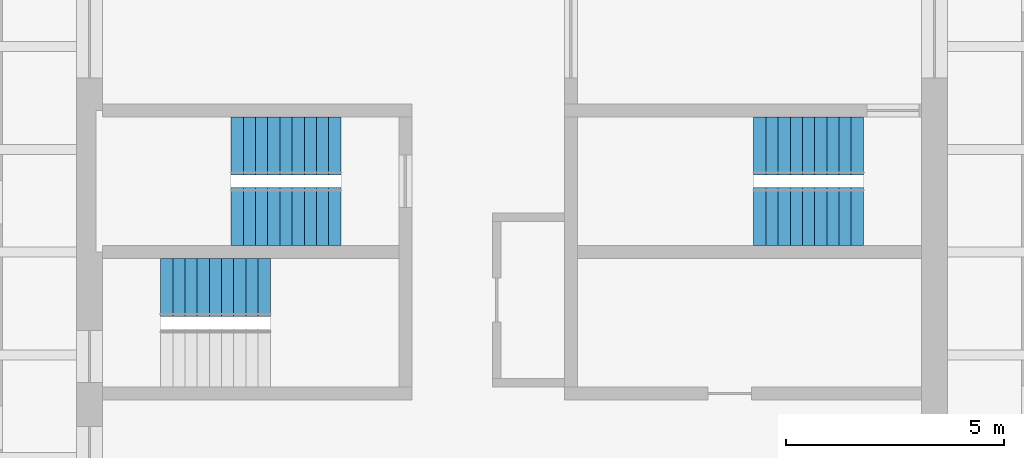
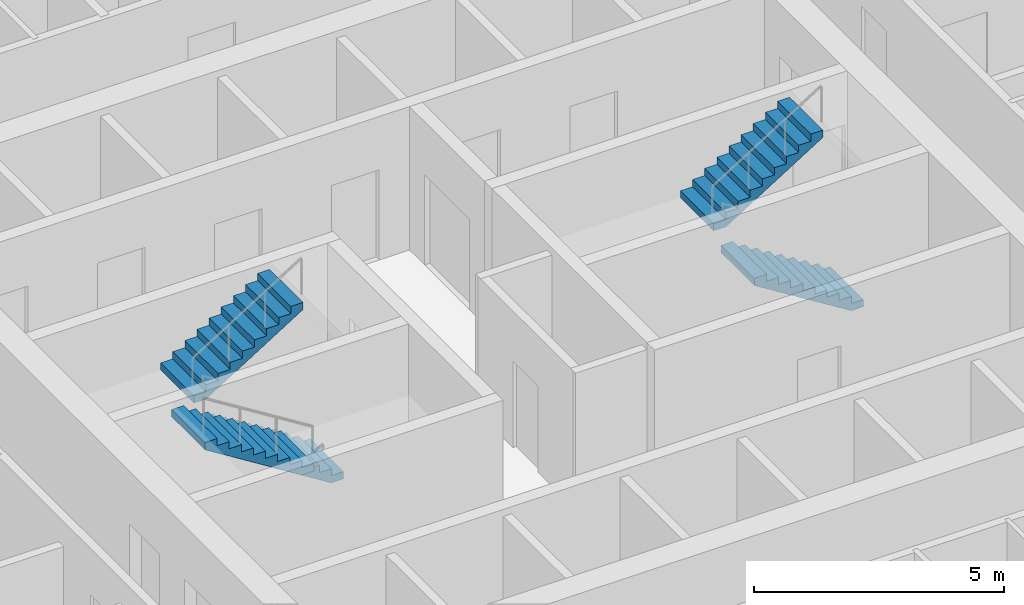
# One storey, part 8 of 9: 5 stair flights, 3 elements without a shape of their own.
"""IFC4 building model written with IfcOpenShell, lengths in metres."""

from ifc_helpers import new_model, si_unit, direction, frame, origin, place, context, subcontext, project, spatial, polyline, outline, extrude, material, type_object, element, aggregate, save


model = new_model("IFC4")

# Units and contexts
model_context = context("Model", 3, precision=1e-05, world=origin(), true_north=direction((0.0, 1.0)))
body_context = subcontext(model_context, "Body", "Model", "MODEL_VIEW")
ifc_project = project(units=[si_unit("LENGTHUNIT", "METRE"), si_unit("AREAUNIT", "SQUARE_METRE"), si_unit("VOLUMEUNIT", "CUBIC_METRE"), si_unit("PLANEANGLEUNIT", "RADIAN"), si_unit("MASSUNIT", "GRAM", prefix="KILO")], contexts=[model_context])

# Site, building, storey
site_placement = place(None, origin())
site = spatial("IfcSite", under=ifc_project, at=site_placement, CompositionType="ELEMENT")
building_placement = place(site_placement, origin())
building = spatial("IfcBuilding", under=site, at=building_placement, Name="Turquesa Mirador Hotel Tower", CompositionType="ELEMENT")
storey_placement = place(building_placement, frame((0.0, 0.0, 42.5)))
storey = spatial("IfcBuildingStorey", under=building, at=storey_placement, Name="L10", CompositionType="ELEMENT", Elevation=42.5)

# Stair, stair flights
ifc_material_1 = material(Name="Concrete C35/45", Category="concrete")
stair_type = type_object("IfcStairType", Name="ESCAPE STAIR CORE", PredefinedType="HALF_TURN_STAIR", material=ifc_material_1)
stair_1_placement = place(storey_placement, origin())
stair_1 = element("IfcStair", 1, at=stair_1_placement, inside=storey, type_object=stair_type, Name="Stair ST1 L10 to L11", PredefinedType="HALF_TURN_STAIR")
ifc_material_2 = material(Name="Concrete C35/45 precast flight", Category="concrete")
stair_flight_type = type_object("IfcStairFlightType", Name="STAIR FLIGHT 1330", PredefinedType="STRAIGHT", material=ifc_material_2)
stair_flight_1_placement = place(storey_placement, frame((51.070068359375, 45.81494140625, 0.0), z_axis=(0.0, 0.0, 1.0), x_axis=(-1.0, 0.0, 0.0)))
stair_flight_1 = element("IfcStairFlight", 2, at=stair_flight_1_placement, type_object=stair_flight_type, Name="ST1 flight 1", NumberOfRisers=10, NumberOfTreads=9, PredefinedType="STRAIGHT", RiserHeight=0.175, TreadLength=0.28, context=body_context, shape_type="SweptSolid", body=[
    extrude(outline(polyline([(0.0, 0.0), (0.0, 0.175048828125), (0.280029296875, 0.175048828125), (0.280029296875, 0.35009765625), (0.56005859375, 0.35009765625), (0.56005859375, 0.52490234375), (0.840087890625, 0.52490234375), (0.840087890625, 0.699951171875), (1.1201171875, 0.699951171875), (1.1201171875, 0.875), (1.39990234375, 0.875), (1.39990234375, 1.050048828125), (1.679931640625, 1.050048828125), (1.679931640625, 1.22509765625), (1.9599609375, 1.22509765625), (1.9599609375, 1.39990234375), (2.239990234375, 1.39990234375), (2.239990234375, 1.574951171875), (2.52001953125, 1.574951171875), (2.52001953125, 1.75), (2.52001953125, 1.398193359375), (0.28271484375, 0.0), (0.0, 0.0)])), frame((0.0, 0.6650390625, 0.0), z_axis=(0.0, -1.0, 0.0), x_axis=(1.0, 0.0, 0.0)), (0.0, 0.0, 1.0), 1.330078125),
])
stair_flight_2_placement = place(storey_placement, frame((48.550048828125, 47.43505859375, 1.75), z_axis=(0.0, 0.0, 1.0), x_axis=(1.0, 0.0, 0.0)))
stair_flight_2 = element("IfcStairFlight", 3, at=stair_flight_2_placement, type_object=stair_flight_type, Name="ST1 flight 2", NumberOfRisers=10, NumberOfTreads=9, PredefinedType="STRAIGHT", RiserHeight=0.175, TreadLength=0.28, context=body_context, shape_type="SweptSolid", body=[
    extrude(outline(polyline([(0.0, 0.0), (0.0, 0.175048828125), (0.280029296875, 0.175048828125), (0.280029296875, 0.35009765625), (0.56005859375, 0.35009765625), (0.56005859375, 0.52490234375), (0.840087890625, 0.52490234375), (0.840087890625, 0.699951171875), (1.1201171875, 0.699951171875), (1.1201171875, 0.875), (1.39990234375, 0.875), (1.39990234375, 1.050048828125), (1.679931640625, 1.050048828125), (1.679931640625, 1.22509765625), (1.9599609375, 1.22509765625), (1.9599609375, 1.39990234375), (2.239990234375, 1.39990234375), (2.239990234375, 1.574951171875), (2.52001953125, 1.574951171875), (2.52001953125, 1.75), (2.52001953125, 1.398193359375), (0.28271484375, 0.0), (0.0, 0.0)])), frame((0.0, 0.6650390625, 0.0), z_axis=(0.0, -1.0, 0.0), x_axis=(1.0, 0.0, 0.0)), (0.0, 0.0, 1.0), 1.330078125),
])
aggregate(stair_1, [stair_flight_1, stair_flight_2])

# Stair, stair flight
stair_2_placement = place(storey_placement, origin())
stair_2 = element("IfcStair", 4, at=stair_2_placement, inside=storey, type_object=stair_type, Name="Stair ST2 L10 to L11", PredefinedType="HALF_TURN_STAIR")
stair_flight_3_placement = place(storey_placement, frame((49.449951171875, 44.18505859375, 1.75), z_axis=(0.0, 0.0, 1.0), x_axis=(-1.0, 0.0, 0.0)))
stair_flight_3 = element("IfcStairFlight", 5, at=stair_flight_3_placement, type_object=stair_flight_type, Name="ST2 flight 2", NumberOfRisers=10, NumberOfTreads=9, PredefinedType="STRAIGHT", RiserHeight=0.175, TreadLength=0.28, context=body_context, shape_type="SweptSolid", body=[
    extrude(outline(polyline([(0.0, 0.0), (0.0, 0.175048828125), (0.280029296875, 0.175048828125), (0.280029296875, 0.35009765625), (0.56005859375, 0.35009765625), (0.56005859375, 0.52490234375), (0.840087890625, 0.52490234375), (0.840087890625, 0.699951171875), (1.1201171875, 0.699951171875), (1.1201171875, 0.875), (1.39990234375, 0.875), (1.39990234375, 1.050048828125), (1.679931640625, 1.050048828125), (1.679931640625, 1.22509765625), (1.9599609375, 1.22509765625), (1.9599609375, 1.39990234375), (2.239990234375, 1.39990234375), (2.239990234375, 1.574951171875), (2.52001953125, 1.574951171875), (2.52001953125, 1.75), (2.52001953125, 1.398193359375), (0.28271484375, 0.0), (0.0, 0.0)])), frame((0.0, 0.6650390625, 0.0), z_axis=(0.0, -1.0, 0.0), x_axis=(1.0, 0.0, 0.0)), (0.0, 0.0, 1.0), 1.330078125),
])
aggregate(stair_2, [stair_flight_3])

# Stair, stair flights
stair_3_placement = place(storey_placement, origin())
stair_3 = element("IfcStair", 6, at=stair_3_placement, inside=storey, type_object=stair_type, Name="Stair ST3 L10 to L11", PredefinedType="HALF_TURN_STAIR")
stair_flight_4_placement = place(storey_placement, frame((63.070068359375, 45.81494140625, 0.0), z_axis=(0.0, 0.0, 1.0), x_axis=(-1.0, 0.0, 0.0)))
stair_flight_4 = element("IfcStairFlight", 7, at=stair_flight_4_placement, type_object=stair_flight_type, Name="ST3 flight 1", NumberOfRisers=10, NumberOfTreads=9, PredefinedType="STRAIGHT", RiserHeight=0.175, TreadLength=0.28, context=body_context, shape_type="SweptSolid", body=[
    extrude(outline(polyline([(0.0, 0.0), (0.0, 0.175048828125), (0.280029296875, 0.175048828125), (0.280029296875, 0.35009765625), (0.56005859375, 0.35009765625), (0.56005859375, 0.52490234375), (0.840087890625, 0.52490234375), (0.840087890625, 0.699951171875), (1.1201171875, 0.699951171875), (1.1201171875, 0.875), (1.39990234375, 0.875), (1.39990234375, 1.050048828125), (1.679931640625, 1.050048828125), (1.679931640625, 1.22509765625), (1.9599609375, 1.22509765625), (1.9599609375, 1.39990234375), (2.239990234375, 1.39990234375), (2.239990234375, 1.574951171875), (2.52001953125, 1.574951171875), (2.52001953125, 1.75), (2.52001953125, 1.398193359375), (0.28271484375, 0.0), (0.0, 0.0)])), frame((0.0, 0.6650390625, 0.0), z_axis=(0.0, -1.0, 0.0), x_axis=(1.0, 0.0, 0.0)), (0.0, 0.0, 1.0), 1.330078125),
])
stair_flight_5_placement = place(storey_placement, frame((60.550048828125, 47.43505859375, 1.75), z_axis=(0.0, 0.0, 1.0), x_axis=(1.0, 0.0, 0.0)))
stair_flight_5 = element("IfcStairFlight", 8, at=stair_flight_5_placement, type_object=stair_flight_type, Name="ST3 flight 2", NumberOfRisers=10, NumberOfTreads=9, PredefinedType="STRAIGHT", RiserHeight=0.175, TreadLength=0.28, context=body_context, shape_type="SweptSolid", body=[
    extrude(outline(polyline([(0.0, 0.0), (0.0, 0.175048828125), (0.280029296875, 0.175048828125), (0.280029296875, 0.35009765625), (0.56005859375, 0.35009765625), (0.56005859375, 0.52490234375), (0.840087890625, 0.52490234375), (0.840087890625, 0.699951171875), (1.1201171875, 0.699951171875), (1.1201171875, 0.875), (1.39990234375, 0.875), (1.39990234375, 1.050048828125), (1.679931640625, 1.050048828125), (1.679931640625, 1.22509765625), (1.9599609375, 1.22509765625), (1.9599609375, 1.39990234375), (2.239990234375, 1.39990234375), (2.239990234375, 1.574951171875), (2.52001953125, 1.574951171875), (2.52001953125, 1.75), (2.52001953125, 1.398193359375), (0.28271484375, 0.0), (0.0, 0.0)])), frame((0.0, 0.6650390625, 0.0), z_axis=(0.0, -1.0, 0.0), x_axis=(1.0, 0.0, 0.0)), (0.0, 0.0, 1.0), 1.330078125),
])
aggregate(stair_3, [stair_flight_4, stair_flight_5])

save(model, "model.ifc")
